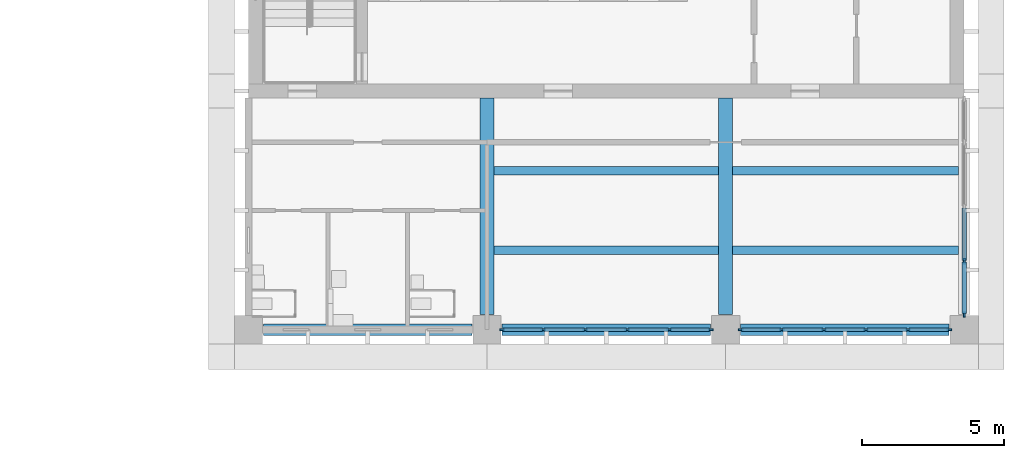
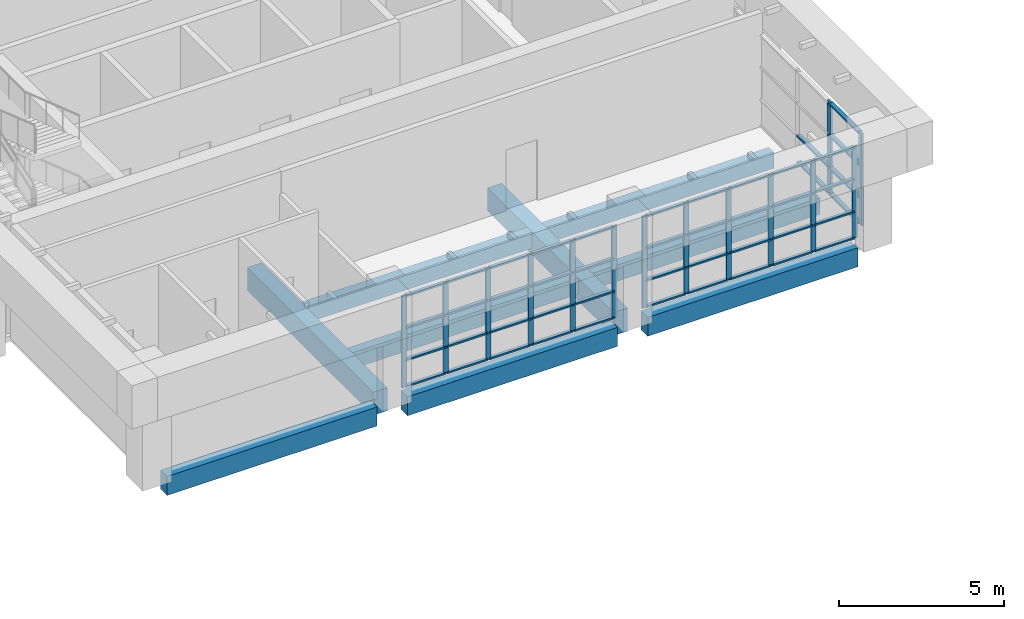
# One storey, part 7 of 56: 60 members, 9 beams, 3 elements without a shape of their own.
"""IFC4 building model written with IfcOpenShell, lengths in metres."""

from ifc_helpers import new_model, si_unit, direction, frame, origin, origin_2d, place, context, subcontext, project, spatial, rectangle, extrude, material, layer, layer_set, material_profile, profile_set, type_object, element, aggregate, save


model = new_model("IFC4")

# Units and contexts
model_context = context("Model", 3, precision=1e-05, world=origin(), true_north=direction((0.0, 1.0)))
body_context = subcontext(model_context, "Body", "Model", "MODEL_VIEW")
ifc_project = project(units=[si_unit("LENGTHUNIT", "METRE"), si_unit("AREAUNIT", "SQUARE_METRE"), si_unit("VOLUMEUNIT", "CUBIC_METRE"), si_unit("PLANEANGLEUNIT", "RADIAN"), si_unit("MASSUNIT", "GRAM", prefix="KILO")], contexts=[model_context])

# Site, building, storey
site_placement = place(None, origin())
site = spatial("IfcSite", under=ifc_project, at=site_placement, CompositionType="ELEMENT")
building_placement = place(site_placement, origin())
building = spatial("IfcBuilding", under=site, at=building_placement, Name="Rulbaag Community and Learning Centre", CompositionType="ELEMENT")
storey_placement = place(building_placement, frame((0.0, 0.0, 9.89990234375)))
storey = spatial("IfcBuildingStorey", under=building, at=storey_placement, Name="L02", CompositionType="ELEMENT", Elevation=9.89990234375)

# Beams
ifc_material_1 = material(Name="Concrete M40", Category="concrete")
ifc_material_profile_1 = material_profile(ifc_material_1, rectangle(XDim=0.39990234375, YDim=0.699951171875, at=origin_2d()), Name="RB400x700")
ifc_profile_set_1 = profile_set([ifc_material_profile_1], Name="Concrete M40")
beam_type_1 = type_object("IfcBeamType", Name="B17 Tower edge beam, lower zone 400x700 Concrete M40", PredefinedType="BEAM", material=ifc_profile_set_1)
beam_placement = place(storey_placement, frame((143.330078125, 84.0, -0.599853515625), z_axis=(1.0, 0.0, 0.0), x_axis=(0.0, 1.0, 0.0)))
element("IfcBeam", 1, at=beam_placement, inside=storey, type_object=beam_type_1, Name="BM-L02-18K-19K", PredefinedType="BEAM", context=body_context, shape_type="SweptSolid", body=[
    extrude(rectangle(XDim=0.39990234375, YDim=0.699951171875, at=origin_2d()), origin(), (0.0, 0.0, 1.0), 7.33984375),
])
for number, where, z_axis, x_axis, name in (
    (2, (151.72998046875, 84.0, -0.599853515625), (1.0, 0.0, 0.0), (0.0, 1.0, 0.0), "BM-L02-19K-20K"),
    (3, (160.1298828125, 84.0, -0.599853515625), (1.0, 0.0, 0.0), (0.0, 1.0, 0.0), "BM-L02-20K-21K"),
):
    element("IfcBeam", number, at=place(storey_placement, frame(where, z_axis=z_axis, x_axis=x_axis)), inside=storey, type_object=beam_type_1, Name=name, PredefinedType="BEAM", context=body_context, shape_type="SweptSolid", body=[
        extrude(rectangle(XDim=0.39990234375, YDim=0.699951171875, at=origin_2d()), origin(), (0.0, 0.0, 1.0), 7.340087890625),
    ])
ifc_material_profile_2 = material_profile(ifc_material_1, rectangle(XDim=0.5, YDim=0.85009765625, at=origin_2d()), Name="RB500x850")
ifc_profile_set_2 = profile_set([ifc_material_profile_2], Name="Concrete M40")
beam_type_2 = type_object("IfcBeamType", Name="B18 Core-framing beam, lower zone 500x850 Concrete M40", PredefinedType="BEAM", material=ifc_profile_set_2)
for number, where, z_axis, x_axis, name in (
    (4, (151.199951171875, 84.530029296875, -0.6748046875), (0.0, 1.0, 0.0), (-1.0, 0.0, 0.0), "BM-L02-19K-19L"),
    (5, (159.60009765625, 84.530029296875, -0.6748046875), (0.0, 1.0, 0.0), (-1.0, 0.0, 0.0), "BM-L02-20K-20L"),
):
    element("IfcBeam", number, at=place(storey_placement, frame(where, z_axis=z_axis, x_axis=x_axis)), inside=storey, type_object=beam_type_2, Name=name, PredefinedType="BEAM", context=body_context, shape_type="SweptSolid", body=[
        extrude(rectangle(XDim=0.5, YDim=0.85009765625, at=origin_2d()), origin(), (0.0, 0.0, 1.0), 7.619873046875),
    ])
ifc_material_profile_3 = material_profile(ifc_material_1, rectangle(XDim=0.300048828125, YDim=0.60009765625, at=origin_2d()), Name="RB300x600")
ifc_profile_set_3 = profile_set([ifc_material_profile_3], Name="Concrete M40")
beam_type_3 = type_object("IfcBeamType", Name="B30 Secondary joist 300x600 Concrete M40", PredefinedType="BEAM", material=ifc_profile_set_3)
for number, where, z_axis, x_axis, name in (
    (6, (151.449951171875, 86.800048828125, -0.5498046875), (1.0, 0.0, 0.0), (0.0, 1.0, 0.0), "BM-JS-L02-19K-1"),
    (7, (151.449951171875, 89.60009765625, -0.5498046875), (1.0, 0.0, 0.0), (0.0, 1.0, 0.0), "BM-JS-L02-19K-2"),
):
    element("IfcBeam", number, at=place(storey_placement, frame(where, z_axis=z_axis, x_axis=x_axis)), inside=storey, type_object=beam_type_3, Name=name, PredefinedType="BEAM", context=body_context, shape_type="SweptSolid", body=[
        extrude(rectangle(XDim=0.300048828125, YDim=0.60009765625, at=origin_2d()), origin(), (0.0, 0.0, 1.0), 7.900146484375),
    ])
for number, where, z_axis, x_axis, name in (
    (8, (159.85009765625, 86.800048828125, -0.5498046875), (1.0, 0.0, 0.0), (0.0, 1.0, 0.0), "BM-JS-L02-20K-1"),
    (9, (159.85009765625, 89.60009765625, -0.5498046875), (1.0, 0.0, 0.0), (0.0, 1.0, 0.0), "BM-JS-L02-20K-2"),
):
    element("IfcBeam", number, at=place(storey_placement, frame(where, z_axis=z_axis, x_axis=x_axis)), inside=storey, type_object=beam_type_3, Name=name, PredefinedType="BEAM", context=body_context, shape_type="SweptSolid", body=[
        extrude(rectangle(XDim=0.300048828125, YDim=0.60009765625, at=origin_2d()), origin(), (0.0, 0.0, 1.0), 7.949951171875),
    ])

# Curtain wall, members
ifc_material_2 = material(Name="Aluminium", Category="aluminium")
ifc_layer_1 = layer(ifc_material_2, 0.14990234375)
ifc_layer_set_1 = layer_set([ifc_layer_1], Name="CW-S")
curtain_wall_type_1 = type_object("IfcCurtainWallType", Name="CW-S", PredefinedType="USERDEFINED", material=ifc_layer_set_1)
curtain_wall_1_placement = place(storey_placement, origin())
curtain_wall_1 = element("IfcCurtainWall", 10, at=curtain_wall_1_placement, inside=storey, type_object=curtain_wall_type_1, Name="GS-L02-01", ObjectType="UNITISED CURTAIN WALL", PredefinedType="USERDEFINED")
ifc_material_3 = material(Name="Aluminium mullion", Category="aluminium")
ifc_material_profile_4 = material_profile(ifc_material_3, rectangle(XDim=0.06005859375, YDim=0.175048828125, at=origin_2d()), Name="AL 60x175")
ifc_profile_set_4 = profile_set([ifc_material_profile_4], Name="Aluminium mullion")
member_type_1 = type_object("IfcMemberType", Name="CW-S-MUL", PredefinedType="MULLION", material=ifc_profile_set_4)
member_1_placement = place(storey_placement, frame((151.72998046875, 84.0, 0.0), z_axis=(0.0, 0.0, 1.0), x_axis=(0.0, 1.0, 0.0)))
member_1 = element("IfcMember", 11, at=member_1_placement, type_object=member_type_1, Name="GS mullion 1", PredefinedType="MULLION", context=body_context, shape_type="SweptSolid", body=[
    extrude(rectangle(XDim=0.06005859375, YDim=0.175048828125, at=origin_2d()), origin(), (0.0, 0.0, 1.0), 3.400146484375),
])
member_2_placement = place(storey_placement, frame((153.179931640625, 84.0, 0.0), z_axis=(0.0, 0.0, 1.0), x_axis=(0.0, 1.0, 0.0)))
member_2 = element("IfcMember", 12, at=member_2_placement, type_object=member_type_1, Name="GS mullion 2", PredefinedType="MULLION", context=body_context, shape_type="SweptSolid", body=[
    extrude(rectangle(XDim=0.06005859375, YDim=0.175048828125, at=origin_2d()), origin(), (0.0, 0.0, 1.0), 3.400146484375),
])
member_3_placement = place(storey_placement, frame((154.659912109375, 84.0, 0.0), z_axis=(0.0, 0.0, 1.0), x_axis=(0.0, 1.0, 0.0)))
member_3 = element("IfcMember", 13, at=member_3_placement, type_object=member_type_1, Name="GS mullion 3", PredefinedType="MULLION", context=body_context, shape_type="SweptSolid", body=[
    extrude(rectangle(XDim=0.06005859375, YDim=0.175048828125, at=origin_2d()), origin(), (0.0, 0.0, 1.0), 3.400146484375),
])
member_4_placement = place(storey_placement, frame((156.139892578125, 84.0, 0.0), z_axis=(0.0, 0.0, 1.0), x_axis=(0.0, 1.0, 0.0)))
member_4 = element("IfcMember", 14, at=member_4_placement, type_object=member_type_1, Name="GS mullion 4", PredefinedType="MULLION", context=body_context, shape_type="SweptSolid", body=[
    extrude(rectangle(XDim=0.06005859375, YDim=0.175048828125, at=origin_2d()), origin(), (0.0, 0.0, 1.0), 3.400146484375),
])
member_5_placement = place(storey_placement, frame((157.6201171875, 84.0, 0.0), z_axis=(0.0, 0.0, 1.0), x_axis=(0.0, 1.0, 0.0)))
member_5 = element("IfcMember", 15, at=member_5_placement, type_object=member_type_1, Name="GS mullion 5", PredefinedType="MULLION", context=body_context, shape_type="SweptSolid", body=[
    extrude(rectangle(XDim=0.06005859375, YDim=0.175048828125, at=origin_2d()), origin(), (0.0, 0.0, 1.0), 3.400146484375),
])
member_6_placement = place(storey_placement, frame((159.070068359375, 84.0, 0.0), z_axis=(0.0, 0.0, 1.0), x_axis=(0.0, 1.0, 0.0)))
member_6 = element("IfcMember", 16, at=member_6_placement, type_object=member_type_1, Name="GS mullion 6", PredefinedType="MULLION", context=body_context, shape_type="SweptSolid", body=[
    extrude(rectangle(XDim=0.06005859375, YDim=0.175048828125, at=origin_2d()), origin(), (0.0, 0.0, 1.0), 3.400146484375),
])

curtain_wall_2_placement = place(storey_placement, origin())
curtain_wall_2 = element("IfcCurtainWall", 17, at=curtain_wall_2_placement, inside=storey, type_object=curtain_wall_type_1, Name="GS-L02-02", ObjectType="UNITISED CURTAIN WALL", PredefinedType="USERDEFINED")
member_7_placement = place(storey_placement, frame((160.1298828125, 84.0, 0.0), z_axis=(0.0, 0.0, 1.0), x_axis=(0.0, 1.0, 0.0)))
member_7 = element("IfcMember", 18, at=member_7_placement, type_object=member_type_1, Name="GS mullion 1", PredefinedType="MULLION", context=body_context, shape_type="SweptSolid", body=[
    extrude(rectangle(XDim=0.06005859375, YDim=0.175048828125, at=origin_2d()), origin(), (0.0, 0.0, 1.0), 3.400146484375),
])
member_8_placement = place(storey_placement, frame((161.580078125, 84.0, 0.0), z_axis=(0.0, 0.0, 1.0), x_axis=(0.0, 1.0, 0.0)))
member_8 = element("IfcMember", 19, at=member_8_placement, type_object=member_type_1, Name="GS mullion 2", PredefinedType="MULLION", context=body_context, shape_type="SweptSolid", body=[
    extrude(rectangle(XDim=0.06005859375, YDim=0.175048828125, at=origin_2d()), origin(), (0.0, 0.0, 1.0), 3.400146484375),
])
member_9_placement = place(storey_placement, frame((163.06005859375, 84.0, 0.0), z_axis=(0.0, 0.0, 1.0), x_axis=(0.0, 1.0, 0.0)))
member_9 = element("IfcMember", 20, at=member_9_placement, type_object=member_type_1, Name="GS mullion 3", PredefinedType="MULLION", context=body_context, shape_type="SweptSolid", body=[
    extrude(rectangle(XDim=0.06005859375, YDim=0.175048828125, at=origin_2d()), origin(), (0.0, 0.0, 1.0), 3.400146484375),
])
member_10_placement = place(storey_placement, frame((164.5400390625, 84.0, 0.0), z_axis=(0.0, 0.0, 1.0), x_axis=(0.0, 1.0, 0.0)))
member_10 = element("IfcMember", 21, at=member_10_placement, type_object=member_type_1, Name="GS mullion 4", PredefinedType="MULLION", context=body_context, shape_type="SweptSolid", body=[
    extrude(rectangle(XDim=0.06005859375, YDim=0.175048828125, at=origin_2d()), origin(), (0.0, 0.0, 1.0), 3.400146484375),
])
member_11_placement = place(storey_placement, frame((166.02001953125, 84.0, 0.0), z_axis=(0.0, 0.0, 1.0), x_axis=(0.0, 1.0, 0.0)))
member_11 = element("IfcMember", 22, at=member_11_placement, type_object=member_type_1, Name="GS mullion 5", PredefinedType="MULLION", context=body_context, shape_type="SweptSolid", body=[
    extrude(rectangle(XDim=0.06005859375, YDim=0.175048828125, at=origin_2d()), origin(), (0.0, 0.0, 1.0), 3.400146484375),
])
member_12_placement = place(storey_placement, frame((167.469970703125, 84.0, 0.0), z_axis=(0.0, 0.0, 1.0), x_axis=(0.0, 1.0, 0.0)))
member_12 = element("IfcMember", 23, at=member_12_placement, type_object=member_type_1, Name="GS mullion 6", PredefinedType="MULLION", context=body_context, shape_type="SweptSolid", body=[
    extrude(rectangle(XDim=0.06005859375, YDim=0.175048828125, at=origin_2d()), origin(), (0.0, 0.0, 1.0), 3.400146484375),
])

# Member
ifc_material_4 = material(Name="Aluminium transom", Category="aluminium")
ifc_material_profile_5 = material_profile(ifc_material_4, rectangle(XDim=0.125, YDim=0.06005859375, at=origin_2d()), Name="AL 60x125 T")
ifc_profile_set_5 = profile_set([ifc_material_profile_5], Name="Aluminium transom")
member_type_2 = type_object("IfcMemberType", Name="CW-S-TRN", PredefinedType="USERDEFINED", material=ifc_profile_set_5)
member_13_placement = place(storey_placement, frame((151.760009765625, 84.0, 0.030029296875), z_axis=(1.0, 0.0, 0.0), x_axis=(0.0, 1.0, 0.0)))
member_13 = element("IfcMember", 24, at=member_13_placement, type_object=member_type_2, Name="GS transom 1.1", ObjectType="TRANSOM", PredefinedType="USERDEFINED", context=body_context, shape_type="SweptSolid", body=[
    extrude(rectangle(XDim=0.125, YDim=0.06005859375, at=origin_2d()), origin(), (0.0, 0.0, 1.0), 1.389892578125),
])

member_14_placement = place(storey_placement, frame((151.760009765625, 84.0, 1.0), z_axis=(1.0, 0.0, 0.0), x_axis=(0.0, 1.0, 0.0)))
member_14 = element("IfcMember", 25, at=member_14_placement, type_object=member_type_2, Name="GS transom 1.2", ObjectType="TRANSOM", PredefinedType="USERDEFINED", context=body_context, shape_type="SweptSolid", body=[
    extrude(rectangle(XDim=0.125, YDim=0.06005859375, at=origin_2d()), origin(), (0.0, 0.0, 1.0), 1.389892578125),
])

member_15_placement = place(storey_placement, frame((151.760009765625, 84.0, 2.2001953125), z_axis=(1.0, 0.0, 0.0), x_axis=(0.0, 1.0, 0.0)))
member_15 = element("IfcMember", 26, at=member_15_placement, type_object=member_type_2, Name="GS transom 1.3", ObjectType="TRANSOM", PredefinedType="USERDEFINED", context=body_context, shape_type="SweptSolid", body=[
    extrude(rectangle(XDim=0.125, YDim=0.06005859375, at=origin_2d()), origin(), (0.0, 0.0, 1.0), 1.389892578125),
])

member_16_placement = place(storey_placement, frame((151.760009765625, 84.0, 3.3701171875), z_axis=(1.0, 0.0, 0.0), x_axis=(0.0, 1.0, 0.0)))
member_16 = element("IfcMember", 27, at=member_16_placement, type_object=member_type_2, Name="GS transom 1.4", ObjectType="TRANSOM", PredefinedType="USERDEFINED", context=body_context, shape_type="SweptSolid", body=[
    extrude(rectangle(XDim=0.125, YDim=0.06005859375, at=origin_2d()), origin(), (0.0, 0.0, 1.0), 1.389892578125),
])

member_17_placement = place(storey_placement, frame((153.2099609375, 84.0, 0.030029296875), z_axis=(1.0, 0.0, 0.0), x_axis=(0.0, 1.0, 0.0)))
member_17 = element("IfcMember", 28, at=member_17_placement, type_object=member_type_2, Name="GS transom 2.1", ObjectType="TRANSOM", PredefinedType="USERDEFINED", context=body_context, shape_type="SweptSolid", body=[
    extrude(rectangle(XDim=0.125, YDim=0.06005859375, at=origin_2d()), origin(), (0.0, 0.0, 1.0), 1.419921875),
])

member_18_placement = place(storey_placement, frame((153.2099609375, 84.0, 1.0), z_axis=(1.0, 0.0, 0.0), x_axis=(0.0, 1.0, 0.0)))
member_18 = element("IfcMember", 29, at=member_18_placement, type_object=member_type_2, Name="GS transom 2.2", ObjectType="TRANSOM", PredefinedType="USERDEFINED", context=body_context, shape_type="SweptSolid", body=[
    extrude(rectangle(XDim=0.125, YDim=0.06005859375, at=origin_2d()), origin(), (0.0, 0.0, 1.0), 1.419921875),
])

member_19_placement = place(storey_placement, frame((153.2099609375, 84.0, 2.2001953125), z_axis=(1.0, 0.0, 0.0), x_axis=(0.0, 1.0, 0.0)))
member_19 = element("IfcMember", 30, at=member_19_placement, type_object=member_type_2, Name="GS transom 2.3", ObjectType="TRANSOM", PredefinedType="USERDEFINED", context=body_context, shape_type="SweptSolid", body=[
    extrude(rectangle(XDim=0.125, YDim=0.06005859375, at=origin_2d()), origin(), (0.0, 0.0, 1.0), 1.419921875),
])

member_20_placement = place(storey_placement, frame((153.2099609375, 84.0, 3.3701171875), z_axis=(1.0, 0.0, 0.0), x_axis=(0.0, 1.0, 0.0)))
member_20 = element("IfcMember", 31, at=member_20_placement, type_object=member_type_2, Name="GS transom 2.4", ObjectType="TRANSOM", PredefinedType="USERDEFINED", context=body_context, shape_type="SweptSolid", body=[
    extrude(rectangle(XDim=0.125, YDim=0.06005859375, at=origin_2d()), origin(), (0.0, 0.0, 1.0), 1.419921875),
])

member_21_placement = place(storey_placement, frame((154.68994140625, 84.0, 0.030029296875), z_axis=(1.0, 0.0, 0.0), x_axis=(0.0, 1.0, 0.0)))
member_21 = element("IfcMember", 32, at=member_21_placement, type_object=member_type_2, Name="GS transom 3.1", ObjectType="TRANSOM", PredefinedType="USERDEFINED", context=body_context, shape_type="SweptSolid", body=[
    extrude(rectangle(XDim=0.125, YDim=0.06005859375, at=origin_2d()), origin(), (0.0, 0.0, 1.0), 1.420166015625),
])

member_22_placement = place(storey_placement, frame((154.68994140625, 84.0, 1.0), z_axis=(1.0, 0.0, 0.0), x_axis=(0.0, 1.0, 0.0)))
member_22 = element("IfcMember", 33, at=member_22_placement, type_object=member_type_2, Name="GS transom 3.2", ObjectType="TRANSOM", PredefinedType="USERDEFINED", context=body_context, shape_type="SweptSolid", body=[
    extrude(rectangle(XDim=0.125, YDim=0.06005859375, at=origin_2d()), origin(), (0.0, 0.0, 1.0), 1.420166015625),
])

member_23_placement = place(storey_placement, frame((154.68994140625, 84.0, 2.2001953125), z_axis=(1.0, 0.0, 0.0), x_axis=(0.0, 1.0, 0.0)))
member_23 = element("IfcMember", 34, at=member_23_placement, type_object=member_type_2, Name="GS transom 3.3", ObjectType="TRANSOM", PredefinedType="USERDEFINED", context=body_context, shape_type="SweptSolid", body=[
    extrude(rectangle(XDim=0.125, YDim=0.06005859375, at=origin_2d()), origin(), (0.0, 0.0, 1.0), 1.420166015625),
])

member_24_placement = place(storey_placement, frame((154.68994140625, 84.0, 3.3701171875), z_axis=(1.0, 0.0, 0.0), x_axis=(0.0, 1.0, 0.0)))
member_24 = element("IfcMember", 35, at=member_24_placement, type_object=member_type_2, Name="GS transom 3.4", ObjectType="TRANSOM", PredefinedType="USERDEFINED", context=body_context, shape_type="SweptSolid", body=[
    extrude(rectangle(XDim=0.125, YDim=0.06005859375, at=origin_2d()), origin(), (0.0, 0.0, 1.0), 1.420166015625),
])

member_25_placement = place(storey_placement, frame((156.169921875, 84.0, 0.030029296875), z_axis=(1.0, 0.0, 0.0), x_axis=(0.0, 1.0, 0.0)))
member_25 = element("IfcMember", 36, at=member_25_placement, type_object=member_type_2, Name="GS transom 4.1", ObjectType="TRANSOM", PredefinedType="USERDEFINED", context=body_context, shape_type="SweptSolid", body=[
    extrude(rectangle(XDim=0.125, YDim=0.06005859375, at=origin_2d()), origin(), (0.0, 0.0, 1.0), 1.420166015625),
])

member_26_placement = place(storey_placement, frame((156.169921875, 84.0, 1.0), z_axis=(1.0, 0.0, 0.0), x_axis=(0.0, 1.0, 0.0)))
member_26 = element("IfcMember", 37, at=member_26_placement, type_object=member_type_2, Name="GS transom 4.2", ObjectType="TRANSOM", PredefinedType="USERDEFINED", context=body_context, shape_type="SweptSolid", body=[
    extrude(rectangle(XDim=0.125, YDim=0.06005859375, at=origin_2d()), origin(), (0.0, 0.0, 1.0), 1.420166015625),
])

member_27_placement = place(storey_placement, frame((156.169921875, 84.0, 2.2001953125), z_axis=(1.0, 0.0, 0.0), x_axis=(0.0, 1.0, 0.0)))
member_27 = element("IfcMember", 38, at=member_27_placement, type_object=member_type_2, Name="GS transom 4.3", ObjectType="TRANSOM", PredefinedType="USERDEFINED", context=body_context, shape_type="SweptSolid", body=[
    extrude(rectangle(XDim=0.125, YDim=0.06005859375, at=origin_2d()), origin(), (0.0, 0.0, 1.0), 1.420166015625),
])

member_28_placement = place(storey_placement, frame((156.169921875, 84.0, 3.3701171875), z_axis=(1.0, 0.0, 0.0), x_axis=(0.0, 1.0, 0.0)))
member_28 = element("IfcMember", 39, at=member_28_placement, type_object=member_type_2, Name="GS transom 4.4", ObjectType="TRANSOM", PredefinedType="USERDEFINED", context=body_context, shape_type="SweptSolid", body=[
    extrude(rectangle(XDim=0.125, YDim=0.06005859375, at=origin_2d()), origin(), (0.0, 0.0, 1.0), 1.420166015625),
])

member_29_placement = place(storey_placement, frame((157.64990234375, 84.0, 0.030029296875), z_axis=(1.0, 0.0, 0.0), x_axis=(0.0, 1.0, 0.0)))
member_29 = element("IfcMember", 40, at=member_29_placement, type_object=member_type_2, Name="GS transom 5.1", ObjectType="TRANSOM", PredefinedType="USERDEFINED", context=body_context, shape_type="SweptSolid", body=[
    extrude(rectangle(XDim=0.125, YDim=0.06005859375, at=origin_2d()), origin(), (0.0, 0.0, 1.0), 1.39013671875),
])

member_30_placement = place(storey_placement, frame((157.64990234375, 84.0, 1.0), z_axis=(1.0, 0.0, 0.0), x_axis=(0.0, 1.0, 0.0)))
member_30 = element("IfcMember", 41, at=member_30_placement, type_object=member_type_2, Name="GS transom 5.2", ObjectType="TRANSOM", PredefinedType="USERDEFINED", context=body_context, shape_type="SweptSolid", body=[
    extrude(rectangle(XDim=0.125, YDim=0.06005859375, at=origin_2d()), origin(), (0.0, 0.0, 1.0), 1.39013671875),
])

member_31_placement = place(storey_placement, frame((157.64990234375, 84.0, 2.2001953125), z_axis=(1.0, 0.0, 0.0), x_axis=(0.0, 1.0, 0.0)))
member_31 = element("IfcMember", 42, at=member_31_placement, type_object=member_type_2, Name="GS transom 5.3", ObjectType="TRANSOM", PredefinedType="USERDEFINED", context=body_context, shape_type="SweptSolid", body=[
    extrude(rectangle(XDim=0.125, YDim=0.06005859375, at=origin_2d()), origin(), (0.0, 0.0, 1.0), 1.39013671875),
])

member_32_placement = place(storey_placement, frame((157.64990234375, 84.0, 3.3701171875), z_axis=(1.0, 0.0, 0.0), x_axis=(0.0, 1.0, 0.0)))
member_32 = element("IfcMember", 43, at=member_32_placement, type_object=member_type_2, Name="GS transom 5.4", ObjectType="TRANSOM", PredefinedType="USERDEFINED", context=body_context, shape_type="SweptSolid", body=[
    extrude(rectangle(XDim=0.125, YDim=0.06005859375, at=origin_2d()), origin(), (0.0, 0.0, 1.0), 1.39013671875),
])

aggregate(curtain_wall_1, [member_1, member_2, member_3, member_4, member_5, member_6, member_13, member_14, member_15, member_16, member_17, member_18, member_19, member_20, member_21, member_22, member_23, member_24, member_25, member_26, member_27, member_28, member_29, member_30, member_31, member_32])

member_33_placement = place(storey_placement, frame((160.159912109375, 84.0, 0.030029296875), z_axis=(1.0, 0.0, 0.0), x_axis=(0.0, 1.0, 0.0)))
member_33 = element("IfcMember", 44, at=member_33_placement, type_object=member_type_2, Name="GS transom 1.1", ObjectType="TRANSOM", PredefinedType="USERDEFINED", context=body_context, shape_type="SweptSolid", body=[
    extrude(rectangle(XDim=0.125, YDim=0.06005859375, at=origin_2d()), origin(), (0.0, 0.0, 1.0), 1.39013671875),
])

member_34_placement = place(storey_placement, frame((160.159912109375, 84.0, 1.0), z_axis=(1.0, 0.0, 0.0), x_axis=(0.0, 1.0, 0.0)))
member_34 = element("IfcMember", 45, at=member_34_placement, type_object=member_type_2, Name="GS transom 1.2", ObjectType="TRANSOM", PredefinedType="USERDEFINED", context=body_context, shape_type="SweptSolid", body=[
    extrude(rectangle(XDim=0.125, YDim=0.06005859375, at=origin_2d()), origin(), (0.0, 0.0, 1.0), 1.39013671875),
])

member_35_placement = place(storey_placement, frame((160.159912109375, 84.0, 2.2001953125), z_axis=(1.0, 0.0, 0.0), x_axis=(0.0, 1.0, 0.0)))
member_35 = element("IfcMember", 46, at=member_35_placement, type_object=member_type_2, Name="GS transom 1.3", ObjectType="TRANSOM", PredefinedType="USERDEFINED", context=body_context, shape_type="SweptSolid", body=[
    extrude(rectangle(XDim=0.125, YDim=0.06005859375, at=origin_2d()), origin(), (0.0, 0.0, 1.0), 1.39013671875),
])

member_36_placement = place(storey_placement, frame((160.159912109375, 84.0, 3.3701171875), z_axis=(1.0, 0.0, 0.0), x_axis=(0.0, 1.0, 0.0)))
member_36 = element("IfcMember", 47, at=member_36_placement, type_object=member_type_2, Name="GS transom 1.4", ObjectType="TRANSOM", PredefinedType="USERDEFINED", context=body_context, shape_type="SweptSolid", body=[
    extrude(rectangle(XDim=0.125, YDim=0.06005859375, at=origin_2d()), origin(), (0.0, 0.0, 1.0), 1.39013671875),
])

member_37_placement = place(storey_placement, frame((161.610107421875, 84.0, 0.030029296875), z_axis=(1.0, 0.0, 0.0), x_axis=(0.0, 1.0, 0.0)))
member_37 = element("IfcMember", 48, at=member_37_placement, type_object=member_type_2, Name="GS transom 2.1", ObjectType="TRANSOM", PredefinedType="USERDEFINED", context=body_context, shape_type="SweptSolid", body=[
    extrude(rectangle(XDim=0.125, YDim=0.06005859375, at=origin_2d()), origin(), (0.0, 0.0, 1.0), 1.419921875),
])

member_38_placement = place(storey_placement, frame((161.610107421875, 84.0, 1.0), z_axis=(1.0, 0.0, 0.0), x_axis=(0.0, 1.0, 0.0)))
member_38 = element("IfcMember", 49, at=member_38_placement, type_object=member_type_2, Name="GS transom 2.2", ObjectType="TRANSOM", PredefinedType="USERDEFINED", context=body_context, shape_type="SweptSolid", body=[
    extrude(rectangle(XDim=0.125, YDim=0.06005859375, at=origin_2d()), origin(), (0.0, 0.0, 1.0), 1.419921875),
])

member_39_placement = place(storey_placement, frame((161.610107421875, 84.0, 2.2001953125), z_axis=(1.0, 0.0, 0.0), x_axis=(0.0, 1.0, 0.0)))
member_39 = element("IfcMember", 50, at=member_39_placement, type_object=member_type_2, Name="GS transom 2.3", ObjectType="TRANSOM", PredefinedType="USERDEFINED", context=body_context, shape_type="SweptSolid", body=[
    extrude(rectangle(XDim=0.125, YDim=0.06005859375, at=origin_2d()), origin(), (0.0, 0.0, 1.0), 1.419921875),
])

member_40_placement = place(storey_placement, frame((161.610107421875, 84.0, 3.3701171875), z_axis=(1.0, 0.0, 0.0), x_axis=(0.0, 1.0, 0.0)))
member_40 = element("IfcMember", 51, at=member_40_placement, type_object=member_type_2, Name="GS transom 2.4", ObjectType="TRANSOM", PredefinedType="USERDEFINED", context=body_context, shape_type="SweptSolid", body=[
    extrude(rectangle(XDim=0.125, YDim=0.06005859375, at=origin_2d()), origin(), (0.0, 0.0, 1.0), 1.419921875),
])

member_41_placement = place(storey_placement, frame((163.090087890625, 84.0, 0.030029296875), z_axis=(1.0, 0.0, 0.0), x_axis=(0.0, 1.0, 0.0)))
member_41 = element("IfcMember", 52, at=member_41_placement, type_object=member_type_2, Name="GS transom 3.1", ObjectType="TRANSOM", PredefinedType="USERDEFINED", context=body_context, shape_type="SweptSolid", body=[
    extrude(rectangle(XDim=0.125, YDim=0.06005859375, at=origin_2d()), origin(), (0.0, 0.0, 1.0), 1.419921875),
])

member_42_placement = place(storey_placement, frame((163.090087890625, 84.0, 1.0), z_axis=(1.0, 0.0, 0.0), x_axis=(0.0, 1.0, 0.0)))
member_42 = element("IfcMember", 53, at=member_42_placement, type_object=member_type_2, Name="GS transom 3.2", ObjectType="TRANSOM", PredefinedType="USERDEFINED", context=body_context, shape_type="SweptSolid", body=[
    extrude(rectangle(XDim=0.125, YDim=0.06005859375, at=origin_2d()), origin(), (0.0, 0.0, 1.0), 1.419921875),
])

member_43_placement = place(storey_placement, frame((163.090087890625, 84.0, 2.2001953125), z_axis=(1.0, 0.0, 0.0), x_axis=(0.0, 1.0, 0.0)))
member_43 = element("IfcMember", 54, at=member_43_placement, type_object=member_type_2, Name="GS transom 3.3", ObjectType="TRANSOM", PredefinedType="USERDEFINED", context=body_context, shape_type="SweptSolid", body=[
    extrude(rectangle(XDim=0.125, YDim=0.06005859375, at=origin_2d()), origin(), (0.0, 0.0, 1.0), 1.419921875),
])

member_44_placement = place(storey_placement, frame((163.090087890625, 84.0, 3.3701171875), z_axis=(1.0, 0.0, 0.0), x_axis=(0.0, 1.0, 0.0)))
member_44 = element("IfcMember", 55, at=member_44_placement, type_object=member_type_2, Name="GS transom 3.4", ObjectType="TRANSOM", PredefinedType="USERDEFINED", context=body_context, shape_type="SweptSolid", body=[
    extrude(rectangle(XDim=0.125, YDim=0.06005859375, at=origin_2d()), origin(), (0.0, 0.0, 1.0), 1.419921875),
])

member_45_placement = place(storey_placement, frame((164.570068359375, 84.0, 0.030029296875), z_axis=(1.0, 0.0, 0.0), x_axis=(0.0, 1.0, 0.0)))
member_45 = element("IfcMember", 56, at=member_45_placement, type_object=member_type_2, Name="GS transom 4.1", ObjectType="TRANSOM", PredefinedType="USERDEFINED", context=body_context, shape_type="SweptSolid", body=[
    extrude(rectangle(XDim=0.125, YDim=0.06005859375, at=origin_2d()), origin(), (0.0, 0.0, 1.0), 1.419921875),
])

member_46_placement = place(storey_placement, frame((164.570068359375, 84.0, 1.0), z_axis=(1.0, 0.0, 0.0), x_axis=(0.0, 1.0, 0.0)))
member_46 = element("IfcMember", 57, at=member_46_placement, type_object=member_type_2, Name="GS transom 4.2", ObjectType="TRANSOM", PredefinedType="USERDEFINED", context=body_context, shape_type="SweptSolid", body=[
    extrude(rectangle(XDim=0.125, YDim=0.06005859375, at=origin_2d()), origin(), (0.0, 0.0, 1.0), 1.419921875),
])

member_47_placement = place(storey_placement, frame((164.570068359375, 84.0, 2.2001953125), z_axis=(1.0, 0.0, 0.0), x_axis=(0.0, 1.0, 0.0)))
member_47 = element("IfcMember", 58, at=member_47_placement, type_object=member_type_2, Name="GS transom 4.3", ObjectType="TRANSOM", PredefinedType="USERDEFINED", context=body_context, shape_type="SweptSolid", body=[
    extrude(rectangle(XDim=0.125, YDim=0.06005859375, at=origin_2d()), origin(), (0.0, 0.0, 1.0), 1.419921875),
])

member_48_placement = place(storey_placement, frame((164.570068359375, 84.0, 3.3701171875), z_axis=(1.0, 0.0, 0.0), x_axis=(0.0, 1.0, 0.0)))
member_48 = element("IfcMember", 59, at=member_48_placement, type_object=member_type_2, Name="GS transom 4.4", ObjectType="TRANSOM", PredefinedType="USERDEFINED", context=body_context, shape_type="SweptSolid", body=[
    extrude(rectangle(XDim=0.125, YDim=0.06005859375, at=origin_2d()), origin(), (0.0, 0.0, 1.0), 1.419921875),
])

member_49_placement = place(storey_placement, frame((166.050048828125, 84.0, 0.030029296875), z_axis=(1.0, 0.0, 0.0), x_axis=(0.0, 1.0, 0.0)))
member_49 = element("IfcMember", 60, at=member_49_placement, type_object=member_type_2, Name="GS transom 5.1", ObjectType="TRANSOM", PredefinedType="USERDEFINED", context=body_context, shape_type="SweptSolid", body=[
    extrude(rectangle(XDim=0.125, YDim=0.06005859375, at=origin_2d()), origin(), (0.0, 0.0, 1.0), 1.389892578125),
])

member_50_placement = place(storey_placement, frame((166.050048828125, 84.0, 1.0), z_axis=(1.0, 0.0, 0.0), x_axis=(0.0, 1.0, 0.0)))
member_50 = element("IfcMember", 61, at=member_50_placement, type_object=member_type_2, Name="GS transom 5.2", ObjectType="TRANSOM", PredefinedType="USERDEFINED", context=body_context, shape_type="SweptSolid", body=[
    extrude(rectangle(XDim=0.125, YDim=0.06005859375, at=origin_2d()), origin(), (0.0, 0.0, 1.0), 1.389892578125),
])

member_51_placement = place(storey_placement, frame((166.050048828125, 84.0, 2.2001953125), z_axis=(1.0, 0.0, 0.0), x_axis=(0.0, 1.0, 0.0)))
member_51 = element("IfcMember", 62, at=member_51_placement, type_object=member_type_2, Name="GS transom 5.3", ObjectType="TRANSOM", PredefinedType="USERDEFINED", context=body_context, shape_type="SweptSolid", body=[
    extrude(rectangle(XDim=0.125, YDim=0.06005859375, at=origin_2d()), origin(), (0.0, 0.0, 1.0), 1.389892578125),
])

member_52_placement = place(storey_placement, frame((166.050048828125, 84.0, 3.3701171875), z_axis=(1.0, 0.0, 0.0), x_axis=(0.0, 1.0, 0.0)))
member_52 = element("IfcMember", 63, at=member_52_placement, type_object=member_type_2, Name="GS transom 5.4", ObjectType="TRANSOM", PredefinedType="USERDEFINED", context=body_context, shape_type="SweptSolid", body=[
    extrude(rectangle(XDim=0.125, YDim=0.06005859375, at=origin_2d()), origin(), (0.0, 0.0, 1.0), 1.389892578125),
])

aggregate(curtain_wall_2, [member_7, member_8, member_9, member_10, member_11, member_12, member_33, member_34, member_35, member_36, member_37, member_38, member_39, member_40, member_41, member_42, member_43, member_44, member_45, member_46, member_47, member_48, member_49, member_50, member_51, member_52])

# Curtain wall, members
ifc_layer_2 = layer(ifc_material_2, 0.14990234375)
ifc_layer_set_2 = layer_set([ifc_layer_2], Name="CW-T")
curtain_wall_type_2 = type_object("IfcCurtainWallType", Name="CW-T", PredefinedType="USERDEFINED", material=ifc_layer_set_2)
curtain_wall_3_placement = place(storey_placement, origin())
curtain_wall_3 = element("IfcCurtainWall", 64, at=curtain_wall_3_placement, inside=storey, type_object=curtain_wall_type_2, Name="GT-L02-05", ObjectType="UNITISED CURTAIN WALL", PredefinedType="USERDEFINED")
ifc_material_profile_6 = material_profile(ifc_material_3, rectangle(XDim=0.06494140625, YDim=0.199951171875, at=origin_2d()), Name="AL 65x200")
ifc_profile_set_6 = profile_set([ifc_material_profile_6], Name="Aluminium mullion")
member_type_3 = type_object("IfcMemberType", Name="CW-T-MUL", PredefinedType="MULLION", material=ifc_profile_set_6)
member_53_placement = place(storey_placement, frame((168.0, 84.532470703125, 0.0), z_axis=(0.0, 0.0, 1.0), x_axis=(-1.0, 0.0, 0.0)))
member_53 = element("IfcMember", 65, at=member_53_placement, type_object=member_type_3, Name="GT mullion 1", PredefinedType="MULLION", context=body_context, shape_type="SweptSolid", body=[
    extrude(rectangle(XDim=0.06494140625, YDim=0.199951171875, at=origin_2d()), origin(), (0.0, 0.0, 1.0), 3.400146484375),
])
member_54_placement = place(storey_placement, frame((168.0, 86.41259765625, 0.0), z_axis=(0.0, 0.0, 1.0), x_axis=(-1.0, 0.0, 0.0)))
member_54 = element("IfcMember", 66, at=member_54_placement, type_object=member_type_3, Name="GT mullion 2", PredefinedType="MULLION", context=body_context, shape_type="SweptSolid", body=[
    extrude(rectangle(XDim=0.06494140625, YDim=0.199951171875, at=origin_2d()), origin(), (0.0, 0.0, 1.0), 3.400146484375),
])
ifc_material_profile_7 = material_profile(ifc_material_4, rectangle(XDim=0.14990234375, YDim=0.06494140625, at=origin_2d()), Name="AL 65x150 T")
ifc_profile_set_7 = profile_set([ifc_material_profile_7], Name="Aluminium transom")
member_type_4 = type_object("IfcMemberType", Name="CW-T-TRN", PredefinedType="USERDEFINED", material=ifc_profile_set_7)
member_55_placement = place(storey_placement, frame((168.0, 84.56494140625, 0.03271484375), z_axis=(0.0, 1.0, 0.0), x_axis=(-1.0, 0.0, 0.0)))
member_55 = element("IfcMember", 67, at=member_55_placement, type_object=member_type_4, Name="GT transom 1.1", ObjectType="TRANSOM", PredefinedType="USERDEFINED", context=body_context, shape_type="SweptSolid", body=[
    extrude(rectangle(XDim=0.14990234375, YDim=0.06494140625, at=origin_2d()), origin(), (0.0, 0.0, 1.0), 1.81494140625),
])
member_56_placement = place(storey_placement, frame((168.0, 84.56494140625, 1.0), z_axis=(0.0, 1.0, 0.0), x_axis=(-1.0, 0.0, 0.0)))
member_56 = element("IfcMember", 68, at=member_56_placement, type_object=member_type_4, Name="GT transom 1.2", ObjectType="TRANSOM", PredefinedType="USERDEFINED", context=body_context, shape_type="SweptSolid", body=[
    extrude(rectangle(XDim=0.14990234375, YDim=0.06494140625, at=origin_2d()), origin(), (0.0, 0.0, 1.0), 1.81494140625),
])
member_57_placement = place(storey_placement, frame((168.0, 84.56494140625, 2.2001953125), z_axis=(0.0, 1.0, 0.0), x_axis=(-1.0, 0.0, 0.0)))
member_57 = element("IfcMember", 69, at=member_57_placement, type_object=member_type_4, Name="GT transom 1.3", ObjectType="TRANSOM", PredefinedType="USERDEFINED", context=body_context, shape_type="SweptSolid", body=[
    extrude(rectangle(XDim=0.14990234375, YDim=0.06494140625, at=origin_2d()), origin(), (0.0, 0.0, 1.0), 1.81494140625),
])
member_58_placement = place(storey_placement, frame((168.0, 84.56494140625, 3.36767578125), z_axis=(0.0, 1.0, 0.0), x_axis=(-1.0, 0.0, 0.0)))
member_58 = element("IfcMember", 70, at=member_58_placement, type_object=member_type_4, Name="GT transom 1.4", ObjectType="TRANSOM", PredefinedType="USERDEFINED", context=body_context, shape_type="SweptSolid", body=[
    extrude(rectangle(XDim=0.14990234375, YDim=0.06494140625, at=origin_2d()), origin(), (0.0, 0.0, 1.0), 1.81494140625),
])
member_59_placement = place(storey_placement, frame((168.0, 86.445068359375, 0.03271484375), z_axis=(0.0, 1.0, 0.0), x_axis=(-1.0, 0.0, 0.0)))
member_59 = element("IfcMember", 71, at=member_59_placement, type_object=member_type_4, Name="GT transom 2.1", ObjectType="TRANSOM", PredefinedType="USERDEFINED", context=body_context, shape_type="SweptSolid", body=[
    extrude(rectangle(XDim=0.14990234375, YDim=0.06494140625, at=origin_2d()), origin(), (0.0, 0.0, 1.0), 1.847412109375),
])
member_60_placement = place(storey_placement, frame((168.0, 86.445068359375, 1.0), z_axis=(0.0, 1.0, 0.0), x_axis=(-1.0, 0.0, 0.0)))
member_60 = element("IfcMember", 72, at=member_60_placement, type_object=member_type_4, Name="GT transom 2.2", ObjectType="TRANSOM", PredefinedType="USERDEFINED", context=body_context, shape_type="SweptSolid", body=[
    extrude(rectangle(XDim=0.14990234375, YDim=0.06494140625, at=origin_2d()), origin(), (0.0, 0.0, 1.0), 1.847412109375),
])
aggregate(curtain_wall_3, [member_53, member_54, member_55, member_56, member_57, member_58, member_59, member_60])

save(model, "model.ifc")
